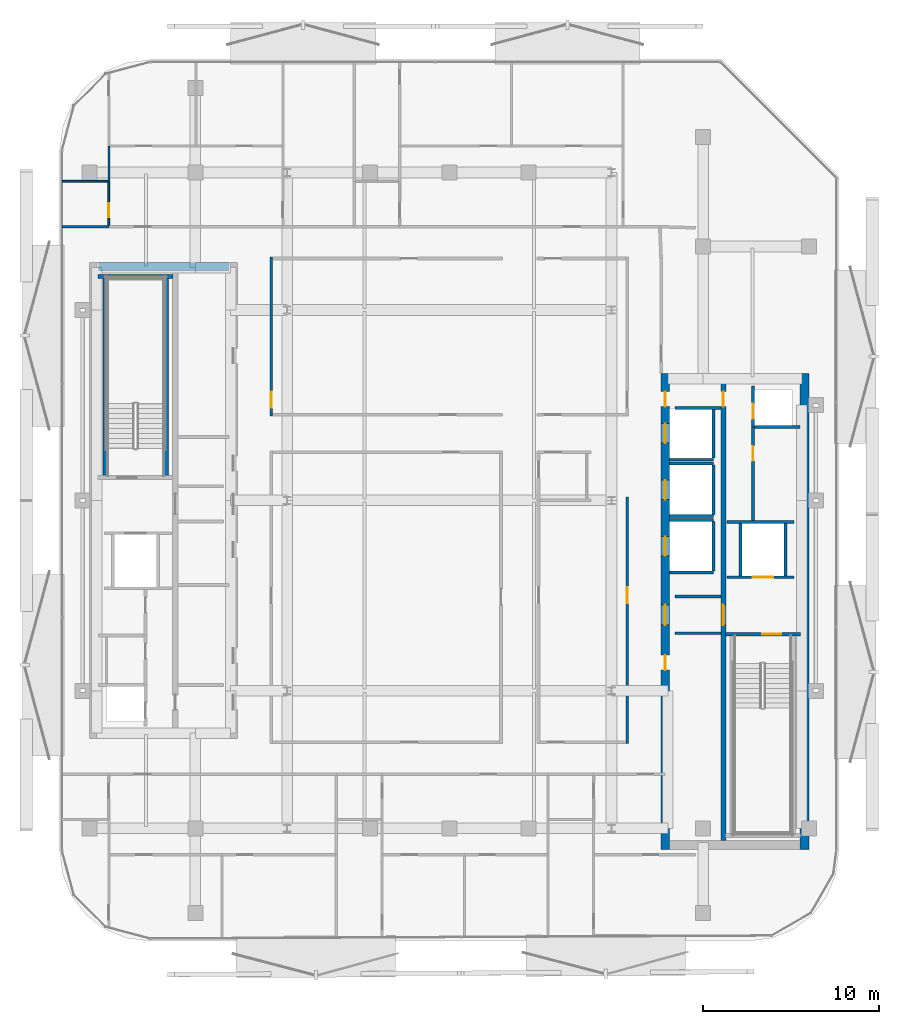
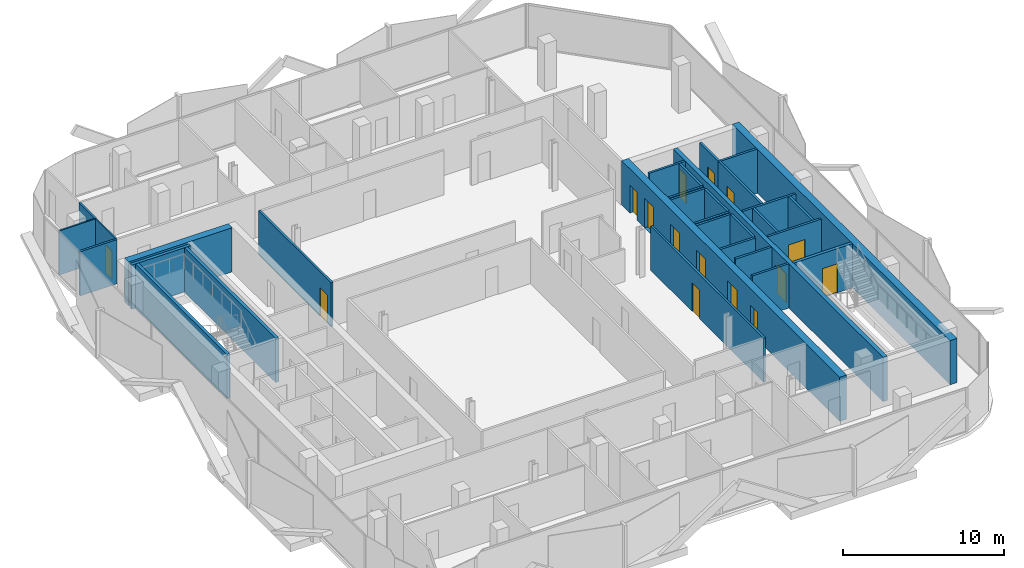
# One storey, part 5 of 15: 32 walls, 15 doors, 15 openings.
"""IFC4 building model written with IfcOpenShell, lengths in metres."""

import ifcopenshell
import ifcopenshell.guid

model = None  # the IFC model being written
_history = None  # IfcOwnerHistory: only IFC2X3 demands one
_inside = {}  # id of a spatial element -> (the spatial element, [elements in it])
_under = {}  # id of a project, library or spatial element -> (it, [spatial elements below it])
_declared = {}  # id of a project -> (the project, [libraries it declares])
_typed = {}  # id of a type object -> (the type object, [elements of that type])
_made_of = {}  # id of a material, layer set ... -> (it, [elements and type objects made of it])


def new_model(schema):
    """Start an empty IFC model of exactly this schema.

    Asked for "IFC4X3", IfcOpenShell would pick the latest addendum, in which some entities
    have other attributes; the version numbers below select the first issue.
    IFC2X3 requires an IfcOwnerHistory on every rooted entity: one is made here for all.
    """
    global model, _history
    if schema == "IFC4X3":
        model = ifcopenshell.file(schema_version=(4, 3, 0, 0))
    else:
        model = ifcopenshell.file(schema=schema)
    _inside.clear()
    _under.clear()
    _declared.clear()
    _typed.clear()
    _made_of.clear()
    _history = None
    if model.schema == "IFC2X3":
        org = make("IfcOrganization", Name="unknown")
        user = make(
            "IfcPersonAndOrganization",
            ThePerson=make("IfcPerson", FamilyName="unknown"),
            TheOrganization=org,
        )
        app = make(
            "IfcApplication",
            ApplicationDeveloper=org,
            Version="unknown",
            ApplicationFullName="unknown",
            ApplicationIdentifier="unknown",
        )
        _history = make(
            "IfcOwnerHistory",
            OwningUser=user,
            OwningApplication=app,
            ChangeAction="ADDED",
            CreationDate=0,
        )
    return model


def make(cls, **values):
    """One entity of the class cls with the attributes given. An attribute that is None is left unset."""
    return model.create_entity(
        cls, **{name: value for name, value in values.items() if value is not None}
    )


def rooted(cls, **values):
    """An entity with a GlobalId (a new one), such as an element, a storey or a relation."""
    return make(cls, GlobalId=ifcopenshell.guid.new(), OwnerHistory=_history, **values)


def si_unit(unit_type, name, prefix=None):
    """IfcSIUnit, for example si_unit("LENGTHUNIT", "METRE", prefix="MILLI")."""
    return make("IfcSIUnit", UnitType=unit_type, Prefix=prefix, Name=name)


def assignment(units):
    """IfcUnitAssignment: the units of a project."""
    return None if units is None else make("IfcUnitAssignment", Units=units)


def point(xyz):
    """IfcCartesianPoint."""
    return None if xyz is None else make("IfcCartesianPoint", Coordinates=xyz)


def direction(xyz):
    """IfcDirection."""
    return None if xyz is None else make("IfcDirection", DirectionRatios=xyz)


def frame(location, z_axis=None, x_axis=None):
    """IfcAxis2Placement3D, a coordinate frame: its origin and axes. An axis left out is left unset."""
    return make(
        "IfcAxis2Placement3D",
        Location=point(location),
        Axis=direction(z_axis),
        RefDirection=direction(x_axis),
    )


def frame_2d(location, x_axis=None):
    """IfcAxis2Placement2D, a coordinate frame in the plane: its origin and x axis."""
    return make(
        "IfcAxis2Placement2D", Location=point(location), RefDirection=direction(x_axis)
    )


def origin():
    """The frame at (0, 0, 0) with its axes left unset."""
    return frame((0.0, 0.0, 0.0))


def place(relative_to, where):
    """IfcLocalPlacement: puts the frame where relative to a parent placement (None: the world)."""
    return make(
        "IfcLocalPlacement", PlacementRelTo=relative_to, RelativePlacement=where
    )


def context(
    kind, dimensions, precision=None, world=None, true_north=None, identifier=None
):
    """IfcGeometricRepresentationContext, for example the 3D "Model" context."""
    return make(
        "IfcGeometricRepresentationContext",
        ContextIdentifier=identifier,
        ContextType=kind,
        CoordinateSpaceDimension=dimensions,
        Precision=precision,
        WorldCoordinateSystem=world,
        TrueNorth=true_north,
    )


def subcontext(parent, identifier, kind, view, scale=None):
    """IfcGeometricRepresentationSubContext, for example "Body" below "Model"."""
    return make(
        "IfcGeometricRepresentationSubContext",
        ContextIdentifier=identifier,
        ContextType=kind,
        ParentContext=parent,
        TargetScale=scale,
        TargetView=view,
    )


def project(units=None, contexts=None):
    """IfcProject with its units and contexts."""
    return rooted(
        "IfcProject",
        Name="project",
        RepresentationContexts=contexts,
        UnitsInContext=assignment(units),
    )


def spatial(cls, under=None, at=None, **own):
    """A site, building, storey or space (cls), placed at a placement, below another one or the project."""
    s = rooted(cls, ObjectPlacement=at, **own)
    if under is not None:
        _under.setdefault(under.id(), (under, []))[1].append(s)
    return s


def profile(cls, at=None, kind="AREA", **sizes):
    """A parametric profile (cls). Its sizes go by their IFC names, for example OverallWidth=200.0."""
    return make(cls, ProfileType=kind, Position=at, **sizes)


def rectangle(**sizes):
    """IfcRectangleProfileDef."""
    return profile("IfcRectangleProfileDef", **sizes)


def extrude(swept, where, along, depth):
    """IfcExtrudedAreaSolid: the profile swept, set in the frame where, extruded along a direction by depth."""
    return make(
        "IfcExtrudedAreaSolid",
        SweptArea=swept,
        Position=where,
        ExtrudedDirection=direction(along),
        Depth=depth,
    )


def shape(context_of_items, identifier, shape_type, items):
    """IfcShapeRepresentation: the items that make up one representation, for example the "Body"."""
    return make(
        "IfcShapeRepresentation",
        ContextOfItems=context_of_items,
        RepresentationIdentifier=identifier,
        RepresentationType=shape_type,
        Items=items,
    )


def material(Name=None, Category=None):
    """IfcMaterial."""
    return make("IfcMaterial", Name=Name, Category=Category)


def layer(
    of_material, thickness, ventilated=None, Name=None, Category=None, Priority=None
):
    """IfcMaterialLayer: one layer of a wall or slab, of a material (None: an air gap)."""
    return make(
        "IfcMaterialLayer",
        Material=of_material,
        LayerThickness=thickness,
        IsVentilated=ventilated,
        Name=Name,
        Category=Category,
        Priority=Priority,
    )


def layer_set(layers, Name=None):
    """IfcMaterialLayerSet."""
    return make("IfcMaterialLayerSet", MaterialLayers=layers, LayerSetName=Name)


def made_of(thing, what):
    """Note that an element or type object is made of a material, layer set ...; save() writes the relation."""
    if what is not None:
        _made_of.setdefault(what.id(), (what, []))[1].append(thing)
    return thing


def type_object(cls, material=None, **own):
    """A type object (cls), such as IfcWallType, which elements share."""
    return made_of(rooted(cls, **own), material)


def element(
    cls,
    number,
    at=None,
    inside=None,
    cuts=None,
    type_object=None,
    material=None,
    context=None,
    identifier="Body",
    shape_type=None,
    held_by="IfcProductDefinitionShape",
    body=None,
    shapes=None,
    **own,
):
    """One element of the class cls, such as IfcWall. Its Tag is "e" and its number.

    at: its placement. inside: the storey or other place that contains it. cuts: it is an
    opening in that element (IfcRelVoidsElement). A single representation is given by context,
    identifier, shape_type and body (its items); several are given by shapes. held_by: the class
    of the entity that holds the representations. save() writes the other relations.
    """
    e = rooted(cls, Tag="e%d" % number, ObjectPlacement=at, **own)
    if body is not None:
        shapes = [shape(context, identifier, shape_type, body)]
    if shapes is not None:
        e.Representation = make(held_by, Representations=shapes)
    if inside is not None:
        _inside.setdefault(inside.id(), (inside, []))[1].append(e)
    if cuts is not None:
        rooted(
            "IfcRelVoidsElement", RelatingBuildingElement=cuts, RelatedOpeningElement=e
        )
    if type_object is not None:
        _typed.setdefault(type_object.id(), (type_object, []))[1].append(e)
    return made_of(e, material)


def fill(opening, filler):
    """IfcRelFillsElement: the door or window that sits in an opening."""
    return rooted(
        "IfcRelFillsElement",
        RelatingOpeningElement=opening,
        RelatedBuildingElement=filler,
    )


def aggregate(whole, parts):
    """IfcRelAggregates: a whole, such as a stair, and the parts it consists of."""
    return rooted("IfcRelAggregates", RelatingObject=whole, RelatedObjects=parts)


def save(model, path):
    """Write the relations noted so far, then the file.

    IfcRelAggregates (storeys below a building ...), IfcRelContainedInSpatialStructure (elements
    in a storey), IfcRelDefinesByType, IfcRelAssociatesMaterial and IfcRelDeclares: one each for
    every whole, place, type object, material and project.
    """
    for whole, parts in _under.values():
        aggregate(whole, parts)
    for where, things in _inside.values():
        rooted(
            "IfcRelContainedInSpatialStructure",
            RelatedElements=things,
            RelatingStructure=where,
        )
    for kind, things in _typed.values():
        rooted("IfcRelDefinesByType", RelatedObjects=things, RelatingType=kind)
    for what, things in _made_of.values():
        rooted("IfcRelAssociatesMaterial", RelatedObjects=things, RelatingMaterial=what)
    for by, libraries in _declared.values():
        rooted("IfcRelDeclares", RelatingContext=by, RelatedDefinitions=libraries)
    model.write(path)


model = new_model("IFC4")

# Units and contexts
model_context = context("Model", 3, precision=1e-05, world=origin(), true_north=direction((0.0, 1.0)))
body_context = subcontext(model_context, "Body", "Model", "MODEL_VIEW")
ifc_project = project(units=[si_unit("LENGTHUNIT", "METRE"), si_unit("AREAUNIT", "SQUARE_METRE"), si_unit("VOLUMEUNIT", "CUBIC_METRE"), si_unit("PLANEANGLEUNIT", "RADIAN"), si_unit("MASSUNIT", "GRAM", prefix="KILO")], contexts=[model_context])

# Site, building, storey
site_placement = place(None, origin())
site = spatial("IfcSite", under=ifc_project, at=site_placement, CompositionType="ELEMENT")
building_placement = place(site_placement, origin())
building = spatial("IfcBuilding", under=site, at=building_placement, Name="Khairoan Windgate Tower", CompositionType="ELEMENT")
storey_placement = place(building_placement, frame((0.0, 0.0, 251.199951171875)))
storey = spatial("IfcBuildingStorey", under=building, at=storey_placement, Name="L59", CompositionType="ELEMENT", Elevation=251.199951171875)

# Wall
ifc_material_1 = material(Name="Moisture-Resistant Gypsum Partition", Category="gypsum")
ifc_layer_1 = layer(ifc_material_1, 0.10009765625, Name="Moisture-Resistant Gypsum Partition")
ifc_layer_set_1 = layer_set([ifc_layer_1], Name="Moisture-Resistant Gypsum Partition")
wall_type_1 = type_object("IfcWallType", Name="Bathroom Wet-Area Partition Wall", PredefinedType="PARTITIONING", material=ifc_layer_set_1)
wall_1_placement = place(storey_placement, frame((-21.955078125, 18.10009765625, 0.0), z_axis=(0.0, 0.0, 1.0), x_axis=(1.0, 0.0, 0.0)))
element("IfcWall", 1, at=wall_1_placement, inside=storey, type_object=wall_type_1, Name="L59 Interior Partition 040", PredefinedType="PARTITIONING", context=body_context, shape_type="SweptSolid", body=[
    extrude(rectangle(XDim=2.594970703125, YDim=0.10009765625, at=frame_2d((1.29736328125, 0.0))), origin(), (0.0, 0.0, 1.0), 3.340087890625),
])

# Wall, opening, door
wall_2_placement = place(storey_placement, frame((-19.31005859375, 15.60009765625, 0.0), z_axis=(0.0, 0.0, 1.0), x_axis=(0.0, 1.0, 0.0)))
wall_2 = element("IfcWall", 2, at=wall_2_placement, inside=storey, type_object=wall_type_1, Name="L59 Interior Partition 041", PredefinedType="PARTITIONING", context=body_context, shape_type="SweptSolid", body=[
    extrude(rectangle(XDim=2.5, YDim=0.10009765625, at=frame_2d((1.25, 0.0))), origin(), (0.0, 0.0, 1.0), 3.340087890625),
])
opening_1_placement = place(wall_2_placement, frame((0.4599609375, 0.0, 0.0)))
opening_1 = element("IfcOpeningElement", 3, at=opening_1_placement, cuts=wall_2, Name="Opening ID-BTH", PredefinedType="OPENING", context=body_context, shape_type="SweptSolid", body=[
    extrude(rectangle(XDim=0.800048828125, YDim=2.10009765625, at=frame_2d((0.39990234375, 1.050048828125))), frame((0.0, 0.06005859375, 0.0), z_axis=(0.0, -1.0, 0.0), x_axis=(1.0, 0.0, 0.0)), (0.0, 0.0, 1.0), 0.1201171875),
])
ifc_material_2 = material(Name="Teak Veneer Timber Leaf", Category="wood")
door_type_1 = type_object("IfcDoorType", Name="Internal Bathroom Door ID-BTH 800x2100", OperationType="NOTDEFINED", PredefinedType="DOOR", material=ifc_material_2)
door_1_placement = place(opening_1_placement, origin())
door_1 = element("IfcDoor", 4, at=door_1_placement, inside=storey, type_object=door_type_1, Name="L59 L59-32-L59-34 Door", OperationType="SINGLE_SWING_RIGHT", OverallHeight=2.10009765625, OverallWidth=0.800048828125, PredefinedType="DOOR", context=body_context, shape_type="SweptSolid", body=[
    extrude(rectangle(XDim=0.800048828125, YDim=2.10009765625, at=frame_2d((0.39990234375, 1.050048828125))), frame((0.0, 0.02490234375, 0.0), z_axis=(0.0, -1.0, 0.0), x_axis=(1.0, 0.0, 0.0)), (0.0, 0.0, 1.0), 0.050048828125),
])
fill(opening_1, door_1)

# Walls
ifc_material_3 = material(Name="Concrete C40/50", Category="concrete")
ifc_layer_2 = layer(ifc_material_3, 0.159912109375, Name="Concrete C40/50")
ifc_layer_set_2 = layer_set([ifc_layer_2], Name="Concrete C40/50")
wall_type_2 = type_object("IfcWallType", Name="Core and Hoistway Enclosure Wall", PredefinedType="STANDARD", material=ifc_layer_set_2)
wall_3_placement = place(storey_placement, frame((12.5, 2.31005859375, 0.0), z_axis=(0.0, 0.0, 1.0), x_axis=(1.0, 0.0, 0.0)))
element("IfcWall", 5, at=wall_3_placement, inside=storey, type_object=wall_type_2, Name="L59 Lift PL7 Hoistway Divider S", PredefinedType="STANDARD", context=body_context, shape_type="SweptSolid", body=[
    extrude(rectangle(XDim=2.489990234375, YDim=0.159912109375, at=frame_2d((1.2451171875, 0.0))), origin(), (0.0, 0.0, 1.0), 3.340087890625),
])
wall_4_placement = place(storey_placement, frame((14.989990234375, 2.39990234375, 0.0), z_axis=(0.0, 0.0, 1.0), x_axis=(0.0, 1.0, 0.0)))
element("IfcWall", 6, at=wall_4_placement, inside=storey, type_object=wall_type_2, Name="L59 Lift PL7 Hoistway Back Wall", PredefinedType="STANDARD", context=body_context, shape_type="SweptSolid", body=[
    extrude(rectangle(XDim=2.800048828125, YDim=0.159912109375, at=frame_2d((1.39990234375, 0.0))), origin(), (0.0, 0.0, 1.0), 3.340087890625),
])
for number, where, z_axis, x_axis, name in (
    (7, (12.5, -0.889892578125, 0.0), (0.0, 0.0, 1.0), (1.0, 0.0, 0.0), "L59 Lift PL8 Hoistway Divider S"),
    (8, (12.5, 2.090087890625, 0.0), (0.0, 0.0, 1.0), (1.0, 0.0, 0.0), "L59 Lift PL8 Hoistway Divider N"),
):
    element("IfcWall", number, at=place(storey_placement, frame(where, z_axis=z_axis, x_axis=x_axis)), inside=storey, type_object=wall_type_2, Name=name, PredefinedType="STANDARD", context=body_context, shape_type="SweptSolid", body=[
        extrude(rectangle(XDim=2.489990234375, YDim=0.159912109375, at=frame_2d((1.2451171875, 0.0))), origin(), (0.0, 0.0, 1.0), 3.340087890625),
    ])
wall_5_placement = place(storey_placement, frame((14.989990234375, -0.800048828125, 0.0), z_axis=(0.0, 0.0, 1.0), x_axis=(0.0, 1.0, 0.0)))
element("IfcWall", 9, at=wall_5_placement, inside=storey, type_object=wall_type_2, Name="L59 Lift PL8 Hoistway Back Wall", PredefinedType="STANDARD", context=body_context, shape_type="SweptSolid", body=[
    extrude(rectangle(XDim=2.800048828125, YDim=0.159912109375, at=frame_2d((1.39990234375, 0.0))), origin(), (0.0, 0.0, 1.0), 3.340087890625),
])
for number, where, z_axis, x_axis, name in (
    (10, (12.5, -4.090087890625, 0.0), (0.0, 0.0, 1.0), (1.0, 0.0, 0.0), "L59 Lift PL9 Hoistway Divider S"),
    (11, (12.5, -1.110107421875, 0.0), (0.0, 0.0, 1.0), (1.0, 0.0, 0.0), "L59 Lift PL9 Hoistway Divider N"),
):
    element("IfcWall", number, at=place(storey_placement, frame(where, z_axis=z_axis, x_axis=x_axis)), inside=storey, type_object=wall_type_2, Name=name, PredefinedType="STANDARD", context=body_context, shape_type="SweptSolid", body=[
        extrude(rectangle(XDim=2.489990234375, YDim=0.159912109375, at=frame_2d((1.2451171875, 0.0))), origin(), (0.0, 0.0, 1.0), 3.340087890625),
    ])
wall_6_placement = place(storey_placement, frame((14.989990234375, -4.0, 0.0), z_axis=(0.0, 0.0, 1.0), x_axis=(0.0, 1.0, 0.0)))
element("IfcWall", 12, at=wall_6_placement, inside=storey, type_object=wall_type_2, Name="L59 Lift PL9 Hoistway Back Wall", PredefinedType="STANDARD", context=body_context, shape_type="SweptSolid", body=[
    extrude(rectangle(XDim=2.800048828125, YDim=0.159912109375, at=frame_2d((1.39990234375, 0.0))), origin(), (0.0, 0.0, 1.0), 3.340087890625),
])

# Wall, opening, door
wall_7_placement = place(storey_placement, frame((15.75, -4.360107421875, 0.0), z_axis=(0.0, 0.0, 1.0), x_axis=(1.0, 0.0, 0.0)))
wall_7 = element("IfcWall", 13, at=wall_7_placement, inside=storey, type_object=wall_type_2, Name="L59 Core Shaft Wall SW-FL1-L59", PredefinedType="STANDARD", context=body_context, shape_type="SweptSolid", body=[
    extrude(rectangle(XDim=3.800048828125, YDim=0.159912109375, at=frame_2d((1.89990234375, 0.0))), origin(), (0.0, 0.0, 1.0), 3.340087890625),
])
opening_2_placement = place(wall_7_placement, frame((1.469970703125, 0.0, 0.0)))
opening_2 = element("IfcOpeningElement", 14, at=opening_2_placement, cuts=wall_7, Name="Opening LD-FL", PredefinedType="OPENING", context=body_context, shape_type="SweptSolid", body=[
    extrude(rectangle(XDim=1.14990234375, YDim=2.199951171875, at=frame_2d((0.574951171875, 1.10009765625))), frame((0.0, 0.08984375, 0.0), z_axis=(0.0, -1.0, 0.0), x_axis=(1.0, 0.0, 0.0)), (0.0, 0.0, 1.0), 0.179931640625),
])
ifc_material_4 = material(Name="Steel S355", Category="steel")
door_type_2 = type_object("IfcDoorType", Name="Firefighting Lift Sliding Landing Door LD-FL 1150x2200", OperationType="DOUBLE_DOOR_SLIDING", PredefinedType="DOOR", material=ifc_material_4)
door_2_placement = place(opening_2_placement, origin())
door_2 = element("IfcDoor", 15, at=door_2_placement, inside=storey, type_object=door_type_2, Name="L59 Firefighting Lift FL1 Landing Door", OperationType="DOUBLE_DOOR_SLIDING", OverallHeight=2.199951171875, OverallWidth=1.14990234375, PredefinedType="DOOR", context=body_context, shape_type="SweptSolid", body=[
    extrude(rectangle(XDim=1.14990234375, YDim=2.199951171875, at=frame_2d((0.574951171875, 1.10009765625))), frame((0.0, 0.02490234375, 0.0), z_axis=(0.0, -1.0, 0.0), x_axis=(1.0, 0.0, 0.0)), (0.0, 0.0, 1.0), 0.050048828125),
])
fill(opening_2, door_2)

# Walls
wall_8_placement = place(storey_placement, frame((15.75, -1.219970703125, 0.0), z_axis=(0.0, 0.0, 1.0), x_axis=(1.0, 0.0, 0.0)))
element("IfcWall", 16, at=wall_8_placement, inside=storey, type_object=wall_type_2, Name="L59 Core Shaft Wall SW-FL1T-L59", PredefinedType="STANDARD", context=body_context, shape_type="SweptSolid", body=[
    extrude(rectangle(XDim=3.800048828125, YDim=0.159912109375, at=frame_2d((1.89990234375, 0.0))), origin(), (0.0, 0.0, 1.0), 3.340087890625),
])
for number, where, z_axis, x_axis, name in (
    (17, (16.52001953125, -4.280029296875, 0.0), (0.0, 0.0, 1.0), (0.0, 1.0, 0.0), "L59 Core Shaft Wall SW-FL1W-L59"),
    (18, (19.080078125, -4.280029296875, 0.0), (0.0, 0.0, 1.0), (0.0, 1.0, 0.0), "L59 Core Shaft Wall SW-FL1E-L59"),
):
    element("IfcWall", number, at=place(storey_placement, frame(where, z_axis=z_axis, x_axis=x_axis)), inside=storey, type_object=wall_type_2, Name=name, PredefinedType="STANDARD", context=body_context, shape_type="SweptSolid", body=[
        extrude(rectangle(XDim=2.97998046875, YDim=0.159912109375, at=frame_2d((1.489990234375, 0.0))), origin(), (0.0, 0.0, 1.0), 3.340087890625),
    ])
for number, where, z_axis, x_axis, name in (
    (19, (12.800048828125, -5.449951171875, 0.0), (0.0, 0.0, 1.0), (1.0, 0.0, 0.0), "L59 Core Shaft Wall SW-EV1-L59"),
    (20, (12.800048828125, -7.5400390625, 0.0), (0.0, 0.0, 1.0), (1.0, 0.0, 0.0), "L59 Core Shaft Wall SW-EV2-L59"),
    (21, (12.800048828125, 5.25, 0.0), (0.0, 0.0, 1.0), (1.0, 0.0, 0.0), "L59 Core Shaft Wall SW-ESV-L59"),
):
    element("IfcWall", number, at=place(storey_placement, frame(where, z_axis=z_axis, x_axis=x_axis)), inside=storey, type_object=wall_type_2, Name=name, PredefinedType="STANDARD", context=body_context, shape_type="SweptSolid", body=[
        extrude(rectangle(XDim=2.599853515625, YDim=0.159912109375, at=frame_2d((1.2998046875, 0.0))), origin(), (0.0, 0.0, 1.0), 3.340087890625),
    ])
ifc_material_5 = material(Name="Gypsum Stud Partition", Category="gypsum")
ifc_layer_3 = layer(ifc_material_5, 0.1201171875, Name="Gypsum Stud Partition")
ifc_layer_set_3 = layer_set([ifc_layer_3], Name="Gypsum Stud Partition")
wall_type_3 = type_object("IfcWallType", Name="Internal Room Partition Wall", PredefinedType="PARTITIONING", material=ifc_layer_set_3)
wall_9_placement = place(storey_placement, frame((-19.31005859375, 18.10009765625, 0.0), z_axis=(0.0, 0.0, 1.0), x_axis=(0.0, 1.0, 0.0)))
element("IfcWall", 22, at=wall_9_placement, inside=storey, type_object=wall_type_3, Name="L59 Interior Partition 042", PredefinedType="PARTITIONING", context=body_context, shape_type="SweptSolid", body=[
    extrude(rectangle(XDim=2.0, YDim=0.1201171875, at=frame_2d((1.0, 0.0))), origin(), (0.0, 0.0, 1.0), 3.340087890625),
])

# Wall, opening, door
ifc_material_6 = material(Name="Concrete C40/50", Category="concrete")
ifc_layer_4 = layer(ifc_material_6, 0.159912109375, Name="Concrete C40/50")
ifc_layer_set_4 = layer_set([ifc_layer_4], Name="Concrete C40/50")
wall_type_4 = type_object("IfcWallType", Name="Plant and Refuge Compartment Wall", PredefinedType="PARTITIONING", material=ifc_layer_set_4)
wall_10_placement = place(storey_placement, frame((17.22998046875, 4.169921875, 0.0), z_axis=(0.0, 0.0, 1.0), x_axis=(0.0, 1.0, 0.0)))
wall_10 = element("IfcWall", 23, at=wall_10_placement, inside=storey, type_object=wall_type_4, Name="L59 Interior Partition 008", PredefinedType="PARTITIONING", context=body_context, shape_type="SweptSolid", body=[
    extrude(rectangle(XDim=2.320068359375, YDim=0.159912109375, at=frame_2d((1.16015625, 0.0))), origin(), (0.0, 0.0, 1.0), 3.340087890625),
])
opening_3_placement = place(wall_10_placement, frame((0.4599609375, 0.0, 0.0)))
opening_3 = element("IfcOpeningElement", 24, at=opening_3_placement, cuts=wall_10, Name="Opening FD-SRV", PredefinedType="OPENING", context=body_context, shape_type="SweptSolid", body=[
    extrude(rectangle(XDim=0.85009765625, YDim=2.10009765625, at=frame_2d((0.425048828125, 1.050048828125))), frame((0.0, 0.08984375, 0.0), z_axis=(0.0, -1.0, 0.0), x_axis=(1.0, 0.0, 0.0)), (0.0, 0.0, 1.0), 0.179931640625),
])
ifc_material_7 = material(Name="Steel S355", Category="steel")
door_type_3 = type_object("IfcDoorType", Name="Core Service and Riser Fire Door FD-SRV 850x2100", OperationType="NOTDEFINED", PredefinedType="DOOR", material=ifc_material_7)
door_3_placement = place(opening_3_placement, origin())
door_3 = element("IfcDoor", 25, at=door_3_placement, inside=storey, type_object=door_type_3, Name="L59 L59-17-L59-18 Door", OperationType="SINGLE_SWING_RIGHT", OverallHeight=2.10009765625, OverallWidth=0.85009765625, PredefinedType="DOOR", context=body_context, shape_type="SweptSolid", body=[
    extrude(rectangle(XDim=0.85009765625, YDim=2.10009765625, at=frame_2d((0.425048828125, 1.050048828125))), frame((0.0, 0.02490234375, 0.0), z_axis=(0.0, -1.0, 0.0), x_axis=(1.0, 0.0, 0.0)), (0.0, 0.0, 1.0), 0.050048828125),
])
fill(opening_3, door_3)

wall_11_placement = place(storey_placement, frame((17.22998046875, -1.139892578125, 0.0), z_axis=(0.0, 0.0, 1.0), x_axis=(0.0, 1.0, 0.0)))
wall_11 = element("IfcWall", 26, at=wall_11_placement, inside=storey, type_object=wall_type_4, Name="L59 Interior Partition 009", PredefinedType="PARTITIONING", context=body_context, shape_type="SweptSolid", body=[
    extrude(rectangle(XDim=5.309814453125, YDim=0.159912109375, at=frame_2d((2.65478515625, 0.0))), origin(), (0.0, 0.0, 1.0), 3.340087890625),
])
opening_4_placement = place(wall_11_placement, frame((3.375244140625, 0.0, 0.0)))
opening_4 = element("IfcOpeningElement", 27, at=opening_4_placement, cuts=wall_11, Name="Opening FD-SRV", PredefinedType="OPENING", context=body_context, shape_type="SweptSolid", body=[
    extrude(rectangle(XDim=0.85009765625, YDim=2.10009765625, at=frame_2d((0.425048828125, 1.050048828125))), frame((0.0, 0.08984375, 0.0), z_axis=(0.0, -1.0, 0.0), x_axis=(1.0, 0.0, 0.0)), (0.0, 0.0, 1.0), 0.179931640625),
])
door_4_placement = place(opening_4_placement, origin())
door_4 = element("IfcDoor", 28, at=door_4_placement, inside=storey, type_object=door_type_3, Name="L59 L59-17-L59-19 Door", OperationType="SINGLE_SWING_LEFT", OverallHeight=2.10009765625, OverallWidth=0.85009765625, PredefinedType="DOOR", context=body_context, shape_type="SweptSolid", body=[
    extrude(rectangle(XDim=0.85009765625, YDim=2.10009765625, at=frame_2d((0.425048828125, 1.050048828125))), frame((0.0, 0.02490234375, 0.0), z_axis=(0.0, -1.0, 0.0), x_axis=(1.0, 0.0, 0.0)), (0.0, 0.0, 1.0), 0.050048828125),
])
fill(opening_4, door_4)

# Wall
wall_12_placement = place(storey_placement, frame((17.31005859375, 4.169921875, 0.0), z_axis=(0.0, 0.0, 1.0), x_axis=(1.0, 0.0, 0.0)))
element("IfcWall", 29, at=wall_12_placement, inside=storey, type_object=wall_type_4, Name="L59 Interior Partition 010", PredefinedType="PARTITIONING", context=body_context, shape_type="SweptSolid", body=[
    extrude(rectangle(XDim=2.58984375, YDim=0.159912109375, at=frame_2d((1.294921875, 0.0))), origin(), (0.0, 0.0, 1.0), 3.340087890625),
])

# Wall, opening, door
ifc_material_8 = material(Name="Acoustic Fire-Rated Gypsum Partition", Category="gypsum")
ifc_layer_5 = layer(ifc_material_8, 0.14990234375, Name="Acoustic Fire-Rated Gypsum Partition")
ifc_layer_set_5 = layer_set([ifc_layer_5], Name="Acoustic Fire-Rated Gypsum Partition")
wall_type_5 = type_object("IfcWallType", Name="Rated Corridor Partition Wall", PredefinedType="PARTITIONING", material=ifc_layer_set_5)
wall_13_placement = place(storey_placement, frame((-10.10009765625, 4.7900390625, 0.0), z_axis=(0.0, 0.0, 1.0), x_axis=(0.0, 1.0, 0.0)))
wall_13 = element("IfcWall", 30, at=wall_13_placement, inside=storey, type_object=wall_type_5, Name="L59 Interior Partition 011", PredefinedType="PARTITIONING", context=body_context, shape_type="SweptSolid", body=[
    extrude(rectangle(XDim=9.0048828125, YDim=0.14990234375, at=frame_2d((4.50244140625, 0.0))), origin(), (0.0, 0.0, 1.0), 3.340087890625),
])
opening_5_placement = place(wall_13_placement, frame((0.4599609375, 0.0, 0.0)))
opening_5 = element("IfcOpeningElement", 31, at=opening_5_placement, cuts=wall_13, Name="Opening FD-ENT", PredefinedType="OPENING", context=body_context, shape_type="SweptSolid", body=[
    extrude(rectangle(XDim=0.89990234375, YDim=2.14990234375, at=frame_2d((0.449951171875, 1.074951171875))), frame((0.0, 0.0849609375, 0.0), z_axis=(0.0, -1.0, 0.0), x_axis=(1.0, 0.0, 0.0)), (0.0, 0.0, 1.0), 0.169921875),
])
ifc_material_9 = material(Name="Timber Fire-Rated Core", Category="wood")
door_type_4 = type_object("IfcDoorType", Name="Unit and Office Fire Entrance Door FD-ENT 900x2150", OperationType="NOTDEFINED", PredefinedType="DOOR", material=ifc_material_9)
door_5_placement = place(opening_5_placement, origin())
door_5 = element("IfcDoor", 32, at=door_5_placement, inside=storey, type_object=door_type_4, Name="L59 L59-26-L59-59 Door", OperationType="SINGLE_SWING_RIGHT", OverallHeight=2.14990234375, OverallWidth=0.89990234375, PredefinedType="DOOR", context=body_context, shape_type="SweptSolid", body=[
    extrude(rectangle(XDim=0.89990234375, YDim=2.14990234375, at=frame_2d((0.449951171875, 1.074951171875))), frame((0.0, 0.02490234375, 0.0), z_axis=(0.0, -1.0, 0.0), x_axis=(1.0, 0.0, 0.0)), (0.0, 0.0, 1.0), 0.050048828125),
])
fill(opening_5, door_5)

wall_14_placement = place(storey_placement, frame((10.10009765625, -13.794921875, 0.0), z_axis=(0.0, 0.0, 1.0), x_axis=(0.0, 1.0, 0.0)))
wall_14 = element("IfcWall", 33, at=wall_14_placement, inside=storey, type_object=wall_type_5, Name="L59 Interior Partition 015", PredefinedType="PARTITIONING", context=body_context, shape_type="SweptSolid", body=[
    extrude(rectangle(XDim=13.974853515625, YDim=0.14990234375, at=frame_2d((6.9873046875, 0.0))), origin(), (0.0, 0.0, 1.0), 3.340087890625),
])
opening_6_placement = place(wall_14_placement, frame((7.95556640625, 0.0, 0.0)))
opening_6 = element("IfcOpeningElement", 34, at=opening_6_placement, cuts=wall_14, Name="Opening FD-ENT", PredefinedType="OPENING", context=body_context, shape_type="SweptSolid", body=[
    extrude(rectangle(XDim=0.89990234375, YDim=2.14990234375, at=frame_2d((0.449951171875, 1.074951171875))), frame((0.0, 0.0849609375, 0.0), z_axis=(0.0, -1.0, 0.0), x_axis=(1.0, 0.0, 0.0)), (0.0, 0.0, 1.0), 0.169921875),
])
door_6_placement = place(opening_6_placement, origin())
door_6 = element("IfcDoor", 35, at=door_6_placement, inside=storey, type_object=door_type_4, Name="L59 L59-27-L59-63 Door", OperationType="SINGLE_SWING_RIGHT", OverallHeight=2.14990234375, OverallWidth=0.89990234375, PredefinedType="DOOR", context=body_context, shape_type="SweptSolid", body=[
    extrude(rectangle(XDim=0.89990234375, YDim=2.14990234375, at=frame_2d((0.449951171875, 1.074951171875))), frame((0.0, 0.02490234375, 0.0), z_axis=(0.0, -1.0, 0.0), x_axis=(1.0, 0.0, 0.0)), (0.0, 0.0, 1.0), 0.050048828125),
])
fill(opening_6, door_6)

# Wall
wall_15_placement = place(storey_placement, frame((-21.955078125, 15.52490234375, 0.0), z_axis=(0.0, 0.0, 1.0), x_axis=(1.0, 0.0, 0.0)))
element("IfcWall", 36, at=wall_15_placement, inside=storey, type_object=wall_type_5, Name="L59 Interior Partition 023", PredefinedType="PARTITIONING", context=body_context, shape_type="SweptSolid", body=[
    extrude(rectangle(XDim=2.64501953125, YDim=0.14990234375, at=frame_2d((1.322509765625, 0.0))), origin(), (0.0, 0.0, 1.0), 3.340087890625),
])

# Wall, openings, doors
ifc_material_10 = material(Name="Concrete C50/60", Category="concrete")
ifc_layer_6 = layer(ifc_material_10, 0.5, Name="Concrete C50/60")
ifc_layer_set_6 = layer_set([ifc_layer_6], Name="Concrete C50/60")
wall_type_6 = type_object("IfcWallType", Name="Shear Wall CW-E3 500mm", PredefinedType="SHEAR", material=ifc_layer_set_6)
wall_16_placement = place(storey_placement, frame((12.25, -19.800048828125, 0.0), z_axis=(0.0, 0.0, 1.0), x_axis=(0.0, 1.0, 0.0)))
wall_16 = element("IfcWall", 37, at=wall_16_placement, inside=storey, type_object=wall_type_6, Name="E Core West Shear Wall L59", PredefinedType="SHEAR", context=body_context, shape_type="SweptSolid", body=[
    extrude(rectangle(XDim=27.0, YDim=0.5, at=frame_2d((13.5, 0.0))), origin(), (0.0, 0.0, 1.0), 3.340087890625),
])
opening_7_placement = place(wall_16_placement, frame((23.050048828125, 0.0, 0.0)))
opening_7 = element("IfcOpeningElement", 38, at=opening_7_placement, cuts=wall_16, Name="Opening LD-PL", PredefinedType="OPENING", context=body_context, shape_type="SweptSolid", body=[
    extrude(rectangle(XDim=1.10009765625, YDim=2.199951171875, at=frame_2d((0.550048828125, 1.10009765625))), frame((0.0, 0.260009765625, 0.0), z_axis=(0.0, -1.0, 0.0), x_axis=(1.0, 0.0, 0.0)), (0.0, 0.0, 1.0), 0.52001953125),
])
opening_8_placement = place(wall_16_placement, frame((19.85009765625, 0.0, 0.0)))
opening_8 = element("IfcOpeningElement", 39, at=opening_8_placement, cuts=wall_16, Name="Opening LD-PL", PredefinedType="OPENING", context=body_context, shape_type="SweptSolid", body=[
    extrude(rectangle(XDim=1.10009765625, YDim=2.199951171875, at=frame_2d((0.550048828125, 1.10009765625))), frame((0.0, 0.260009765625, 0.0), z_axis=(0.0, -1.0, 0.0), x_axis=(1.0, 0.0, 0.0)), (0.0, 0.0, 1.0), 0.52001953125),
])
opening_9_placement = place(wall_16_placement, frame((16.64990234375, 0.0, 0.0)))
opening_9 = element("IfcOpeningElement", 40, at=opening_9_placement, cuts=wall_16, Name="Opening LD-PL", PredefinedType="OPENING", context=body_context, shape_type="SweptSolid", body=[
    extrude(rectangle(XDim=1.10009765625, YDim=2.199951171875, at=frame_2d((0.550048828125, 1.10009765625))), frame((0.0, 0.260009765625, 0.0), z_axis=(0.0, -1.0, 0.0), x_axis=(1.0, 0.0, 0.0)), (0.0, 0.0, 1.0), 0.52001953125),
])
opening_10_placement = place(wall_16_placement, frame((10.175048828125, 0.0, 0.0)))
opening_10 = element("IfcOpeningElement", 41, at=opening_10_placement, cuts=wall_16, Name="Opening FD-SRV", PredefinedType="OPENING", context=body_context, shape_type="SweptSolid", body=[
    extrude(rectangle(XDim=0.85009765625, YDim=2.10009765625, at=frame_2d((0.425048828125, 1.050048828125))), frame((0.0, 0.260009765625, 0.0), z_axis=(0.0, -1.0, 0.0), x_axis=(1.0, 0.0, 0.0)), (0.0, 0.0, 1.0), 0.52001953125),
])
opening_11_placement = place(wall_16_placement, frame((12.72509765625, 0.0, 0.0)))
opening_11 = element("IfcOpeningElement", 42, at=opening_11_placement, cuts=wall_16, Name="Opening FD-FFL", PredefinedType="OPENING", context=body_context, shape_type="SweptSolid", body=[
    extrude(rectangle(XDim=1.14990234375, YDim=2.199951171875, at=frame_2d((0.574951171875, 1.10009765625))), frame((0.0, 0.260009765625, 0.0), z_axis=(0.0, -1.0, 0.0), x_axis=(1.0, 0.0, 0.0)), (0.0, 0.0, 1.0), 0.52001953125),
])
opening_12_placement = place(wall_16_placement, frame((25.125, 0.0, 0.0)))
opening_12 = element("IfcOpeningElement", 43, at=opening_12_placement, cuts=wall_16, Name="Opening FD-SRV", PredefinedType="OPENING", context=body_context, shape_type="SweptSolid", body=[
    extrude(rectangle(XDim=0.85009765625, YDim=2.10009765625, at=frame_2d((0.425048828125, 1.050048828125))), frame((0.0, 0.260009765625, 0.0), z_axis=(0.0, -1.0, 0.0), x_axis=(1.0, 0.0, 0.0)), (0.0, 0.0, 1.0), 0.52001953125),
])
door_7_placement = place(opening_10_placement, origin())
door_7 = element("IfcDoor", 44, at=door_7_placement, inside=storey, type_object=door_type_3, Name="L59 East Core Service Room Door 1", OperationType="SINGLE_SWING_RIGHT", OverallHeight=2.10009765625, OverallWidth=0.85009765625, PredefinedType="DOOR", context=body_context, shape_type="SweptSolid", body=[
    extrude(rectangle(XDim=0.85009765625, YDim=2.10009765625, at=frame_2d((0.425048828125, 1.050048828125))), frame((0.0, 0.02490234375, 0.0), z_axis=(0.0, -1.0, 0.0), x_axis=(1.0, 0.0, 0.0)), (0.0, 0.0, 1.0), 0.050048828125),
])
fill(opening_10, door_7)
door_8_placement = place(opening_12_placement, origin())
door_8 = element("IfcDoor", 45, at=door_8_placement, inside=storey, type_object=door_type_3, Name="L59 East Core Service Vestibule Outer Door", OperationType="SINGLE_SWING_LEFT", OverallHeight=2.10009765625, OverallWidth=0.85009765625, PredefinedType="DOOR", context=body_context, shape_type="SweptSolid", body=[
    extrude(rectangle(XDim=0.85009765625, YDim=2.10009765625, at=frame_2d((0.425048828125, 1.050048828125))), frame((0.0, 0.02490234375, 0.0), z_axis=(0.0, -1.0, 0.0), x_axis=(1.0, 0.0, 0.0)), (0.0, 0.0, 1.0), 0.050048828125),
])
fill(opening_12, door_8)
ifc_material_11 = material(Name="Steel S355", Category="steel")
door_type_5 = type_object("IfcDoorType", Name="Firefighting Lobby Fire Door FD-FFL 1150x2200", OperationType="NOTDEFINED", PredefinedType="DOOR", material=ifc_material_11)
door_9_placement = place(opening_11_placement, origin())
door_9 = element("IfcDoor", 46, at=door_9_placement, inside=storey, type_object=door_type_5, Name="L59 East Core Vestibule Entry Door", OperationType="SINGLE_SWING_LEFT", OverallHeight=2.199951171875, OverallWidth=1.14990234375, PredefinedType="DOOR", context=body_context, shape_type="SweptSolid", body=[
    extrude(rectangle(XDim=1.14990234375, YDim=2.199951171875, at=frame_2d((0.574951171875, 1.10009765625))), frame((0.0, 0.02490234375, 0.0), z_axis=(0.0, -1.0, 0.0), x_axis=(1.0, 0.0, 0.0)), (0.0, 0.0, 1.0), 0.050048828125),
])
fill(opening_11, door_9)
ifc_material_12 = material(Name="Anodised Bronze Aluminium 6063-T6", Category="aluminium")
door_type_6 = type_object("IfcDoorType", Name="Passenger Lift Sliding Landing Door LD-PL 1100x2200", OperationType="DOUBLE_DOOR_SLIDING", PredefinedType="DOOR", material=ifc_material_12)
door_10_placement = place(opening_7_placement, origin())
door_10 = element("IfcDoor", 47, at=door_10_placement, inside=storey, type_object=door_type_6, Name="L59 Lift PL7 Sliding Landing Door", OperationType="DOUBLE_DOOR_SLIDING", OverallHeight=2.199951171875, OverallWidth=1.10009765625, PredefinedType="DOOR", context=body_context, shape_type="SweptSolid", body=[
    extrude(rectangle(XDim=1.10009765625, YDim=2.199951171875, at=frame_2d((0.550048828125, 1.10009765625))), frame((0.0, 0.02490234375, 0.0), z_axis=(0.0, -1.0, 0.0), x_axis=(1.0, 0.0, 0.0)), (0.0, 0.0, 1.0), 0.050048828125),
])
fill(opening_7, door_10)
door_11_placement = place(opening_8_placement, origin())
door_11 = element("IfcDoor", 48, at=door_11_placement, inside=storey, type_object=door_type_6, Name="L59 Lift PL8 Sliding Landing Door", OperationType="DOUBLE_DOOR_SLIDING", OverallHeight=2.199951171875, OverallWidth=1.10009765625, PredefinedType="DOOR", context=body_context, shape_type="SweptSolid", body=[
    extrude(rectangle(XDim=1.10009765625, YDim=2.199951171875, at=frame_2d((0.550048828125, 1.10009765625))), frame((0.0, 0.02490234375, 0.0), z_axis=(0.0, -1.0, 0.0), x_axis=(1.0, 0.0, 0.0)), (0.0, 0.0, 1.0), 0.050048828125),
])
fill(opening_8, door_11)
door_12_placement = place(opening_9_placement, origin())
door_12 = element("IfcDoor", 49, at=door_12_placement, inside=storey, type_object=door_type_6, Name="L59 Lift PL9 Sliding Landing Door", OperationType="DOUBLE_DOOR_SLIDING", OverallHeight=2.199951171875, OverallWidth=1.10009765625, PredefinedType="DOOR", context=body_context, shape_type="SweptSolid", body=[
    extrude(rectangle(XDim=1.10009765625, YDim=2.199951171875, at=frame_2d((0.550048828125, 1.10009765625))), frame((0.0, 0.02490234375, 0.0), z_axis=(0.0, -1.0, 0.0), x_axis=(1.0, 0.0, 0.0)), (0.0, 0.0, 1.0), 0.050048828125),
])
fill(opening_9, door_12)

# Walls
wall_17_placement = place(storey_placement, frame((20.14990234375, -19.800048828125, 0.0), z_axis=(0.0, 0.0, 1.0), x_axis=(0.0, 1.0, 0.0)))
element("IfcWall", 50, at=wall_17_placement, inside=storey, type_object=wall_type_6, Name="E Core East Shear Wall L59", PredefinedType="SHEAR", context=body_context, shape_type="SweptSolid", body=[
    extrude(rectangle(XDim=27.0, YDim=0.5, at=frame_2d((13.5, 0.0))), origin(), (0.0, 0.0, 1.0), 3.340087890625),
])
ifc_material_13 = material(Name="Concrete C50/60", Category="concrete")
ifc_layer_7 = layer(ifc_material_13, 0.5, Name="Concrete C50/60")
ifc_layer_set_7 = layer_set([ifc_layer_7], Name="Concrete C50/60")
wall_type_7 = type_object("IfcWallType", Name="Shear Wall CW-W3 500mm", PredefinedType="SHEAR", material=ifc_layer_set_7)
wall_18_placement = place(storey_placement, frame((-19.89990234375, 13.25, 0.0), z_axis=(0.0, 0.0, 1.0), x_axis=(1.0, 0.0, 0.0)))
element("IfcWall", 51, at=wall_18_placement, inside=storey, type_object=wall_type_7, Name="W Core North Shear Wall L59", PredefinedType="SHEAR", context=body_context, shape_type="SweptSolid", body=[
    extrude(rectangle(XDim=7.39990234375, YDim=0.5, at=frame_2d((3.699951171875, 0.0))), origin(), (0.0, 0.0, 1.0), 3.340087890625),
])

# Wall, openings, doors
ifc_material_14 = material(Name="Concrete C50/60", Category="concrete")
ifc_layer_8 = layer(ifc_material_14, 0.300048828125, Name="Concrete C50/60")
ifc_layer_set_8 = layer_set([ifc_layer_8], Name="Concrete C50/60")
wall_type_8 = type_object("IfcWallType", Name="Shear Wall SW-2 300mm", PredefinedType="SHEAR", material=ifc_layer_set_8)
wall_19_placement = place(storey_placement, frame((15.550048828125, -19.300048828125, 0.0), z_axis=(0.0, 0.0, 1.0), x_axis=(0.0, 1.0, 0.0)))
wall_19 = element("IfcWall", 52, at=wall_19_placement, inside=storey, type_object=wall_type_8, Name="E Core Spine Shear Wall L59", PredefinedType="SHEAR", context=body_context, shape_type="SweptSolid", body=[
    extrude(rectangle(XDim=26.0, YDim=0.300048828125, at=frame_2d((13.0, 0.0))), origin(), (0.0, 0.0, 1.0), 3.340087890625),
])
opening_13_placement = place(wall_19_placement, frame((12.22509765625, 0.0, 0.0)))
opening_13 = element("IfcOpeningElement", 53, at=opening_13_placement, cuts=wall_19, Name="Opening FD-FFL", PredefinedType="OPENING", context=body_context, shape_type="SweptSolid", body=[
    extrude(rectangle(XDim=1.14990234375, YDim=2.199951171875, at=frame_2d((0.574951171875, 1.10009765625))), frame((0.0, 0.159912109375, 0.0), z_axis=(0.0, -1.0, 0.0), x_axis=(1.0, 0.0, 0.0)), (0.0, 0.0, 1.0), 0.320068359375),
])
opening_14_placement = place(wall_19_placement, frame((24.625, 0.0, 0.0)))
opening_14 = element("IfcOpeningElement", 54, at=opening_14_placement, cuts=wall_19, Name="Opening FD-SRV", PredefinedType="OPENING", context=body_context, shape_type="SweptSolid", body=[
    extrude(rectangle(XDim=0.85009765625, YDim=2.10009765625, at=frame_2d((0.425048828125, 1.050048828125))), frame((0.0, 0.159912109375, 0.0), z_axis=(0.0, -1.0, 0.0), x_axis=(1.0, 0.0, 0.0)), (0.0, 0.0, 1.0), 0.320068359375),
])
door_13_placement = place(opening_14_placement, origin())
door_13 = element("IfcDoor", 55, at=door_13_placement, inside=storey, type_object=door_type_3, Name="L59 East Core Service Passage Inner Door", OperationType="SINGLE_SWING_RIGHT", OverallHeight=2.10009765625, OverallWidth=0.85009765625, PredefinedType="DOOR", context=body_context, shape_type="SweptSolid", body=[
    extrude(rectangle(XDim=0.85009765625, YDim=2.10009765625, at=frame_2d((0.425048828125, 1.050048828125))), frame((0.0, 0.02490234375, 0.0), z_axis=(0.0, -1.0, 0.0), x_axis=(1.0, 0.0, 0.0)), (0.0, 0.0, 1.0), 0.050048828125),
])
fill(opening_14, door_13)
door_14_placement = place(opening_13_placement, origin())
door_14 = element("IfcDoor", 56, at=door_14_placement, inside=storey, type_object=door_type_5, Name="L59 East Firefighting Lobby Fire Door", OperationType="SINGLE_SWING_RIGHT", OverallHeight=2.199951171875, OverallWidth=1.14990234375, PredefinedType="DOOR", context=body_context, shape_type="SweptSolid", body=[
    extrude(rectangle(XDim=1.14990234375, YDim=2.199951171875, at=frame_2d((0.574951171875, 1.10009765625))), frame((0.0, 0.02490234375, 0.0), z_axis=(0.0, -1.0, 0.0), x_axis=(1.0, 0.0, 0.0)), (0.0, 0.0, 1.0), 0.050048828125),
])
fill(opening_13, door_14)

# Wall, opening, door
ifc_material_15 = material(Name="Concrete C50/60", Category="concrete")
ifc_layer_9 = layer(ifc_material_15, 0.219970703125, Name="Concrete C50/60")
ifc_layer_set_9 = layer_set([ifc_layer_9], Name="Concrete C50/60")
wall_type_9 = type_object("IfcWallType", Name="Shear Wall SW-ST 220mm", PredefinedType="SHEAR", material=ifc_layer_set_9)
wall_20_placement = place(storey_placement, frame((19.919921875, -7.590087890625, 0.0), z_axis=(0.0, 0.0, 1.0), x_axis=(-1.0, 0.0, 0.0)))
wall_20 = element("IfcWall", 57, at=wall_20_placement, inside=storey, type_object=wall_type_9, Name="L59 Stair ST1 North Bearing Wall", PredefinedType="SHEAR", context=body_context, shape_type="SweptSolid", body=[
    extrude(rectangle(XDim=4.239990234375, YDim=0.219970703125, at=frame_2d((2.1201171875, 0.0))), origin(), (0.0, 0.0, 1.0), 3.340087890625),
])
opening_15_placement = place(wall_20_placement, frame((1.080078125, 0.0, 0.0)))
opening_15 = element("IfcOpeningElement", 58, at=opening_15_placement, cuts=wall_20, Name="Opening FD-ST", PredefinedType="OPENING", context=body_context, shape_type="SweptSolid", body=[
    extrude(rectangle(XDim=1.10009765625, YDim=2.199951171875, at=frame_2d((0.550048828125, 1.10009765625))), frame((0.0, 0.119873046875, 0.0), z_axis=(0.0, -1.0, 0.0), x_axis=(1.0, 0.0, 0.0)), (0.0, 0.0, 1.0), 0.239990234375),
])
ifc_material_16 = material(Name="Steel S355", Category="steel")
door_type_7 = type_object("IfcDoorType", Name="Smokeproof Stair Fire Door FD-ST 1100x2200", OperationType="NOTDEFINED", PredefinedType="DOOR", material=ifc_material_16)
door_15_placement = place(opening_15_placement, origin())
door_15 = element("IfcDoor", 59, at=door_15_placement, inside=storey, type_object=door_type_7, Name="L59 Stair ST1 Fire Door", OperationType="SINGLE_SWING_RIGHT", OverallHeight=2.199951171875, OverallWidth=1.10009765625, PredefinedType="DOOR", context=body_context, shape_type="SweptSolid", body=[
    extrude(rectangle(XDim=1.10009765625, YDim=2.199951171875, at=frame_2d((0.550048828125, 1.10009765625))), frame((0.0, 0.02490234375, 0.0), z_axis=(0.0, -1.0, 0.0), x_axis=(1.0, 0.0, 0.0)), (0.0, 0.0, 1.0), 0.050048828125),
])
fill(opening_15, door_15)

# Walls
for number, where, z_axis, x_axis, name in (
    (60, (-16.0400390625, 1.2900390625, 0.0), (0.0, 0.0, 1.0), (0.0, 1.0, 0.0), "L59 Stair ST2 East Bearing Wall"),
    (61, (-19.530029296875, 1.2900390625, 0.0), (0.0, 0.0, 1.0), (0.0, 1.0, 0.0), "L59 Stair ST2 West Bearing Wall"),
):
    element("IfcWall", number, at=place(storey_placement, frame(where, z_axis=z_axis, x_axis=x_axis)), inside=storey, type_object=wall_type_9, Name=name, PredefinedType="SHEAR", context=body_context, shape_type="SweptSolid", body=[
        extrude(rectangle(XDim=11.419921875, YDim=0.219970703125, at=frame_2d((5.7099609375, 0.0))), origin(), (0.0, 0.0, 1.0), 3.340087890625),
    ])
wall_21_placement = place(storey_placement, frame((-19.919921875, 12.7099609375, 0.0), z_axis=(0.0, 0.0, 1.0), x_axis=(1.0, 0.0, 0.0)))
element("IfcWall", 62, at=wall_21_placement, inside=storey, type_object=wall_type_9, Name="L59 Stair ST2 North Bearing Wall", PredefinedType="SHEAR", context=body_context, shape_type="SweptSolid", body=[
    extrude(rectangle(XDim=4.239990234375, YDim=0.219970703125, at=frame_2d((2.1201171875, 0.0))), origin(), (0.0, 0.0, 1.0), 3.340087890625),
])

save(model, "model.ifc")
